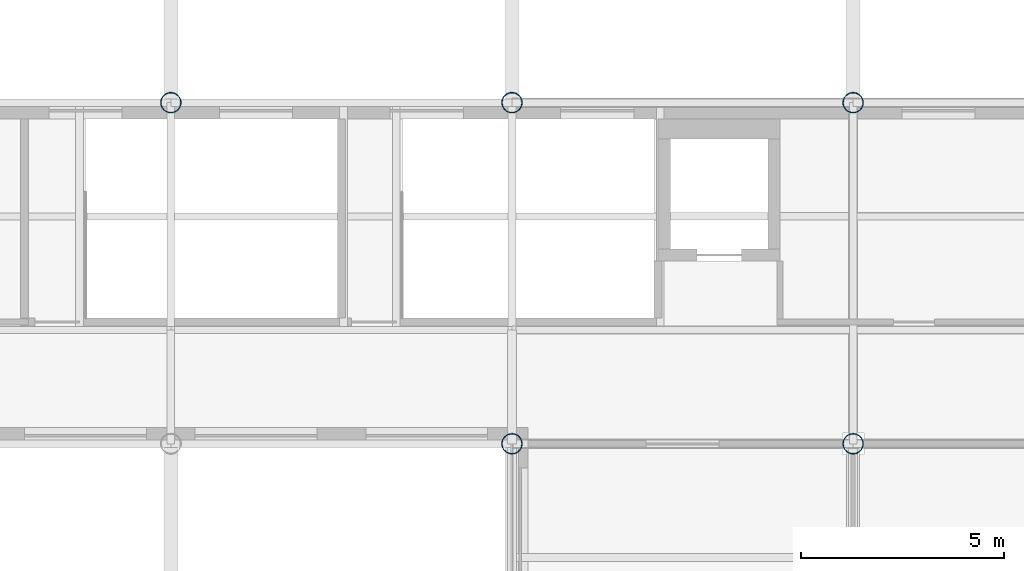
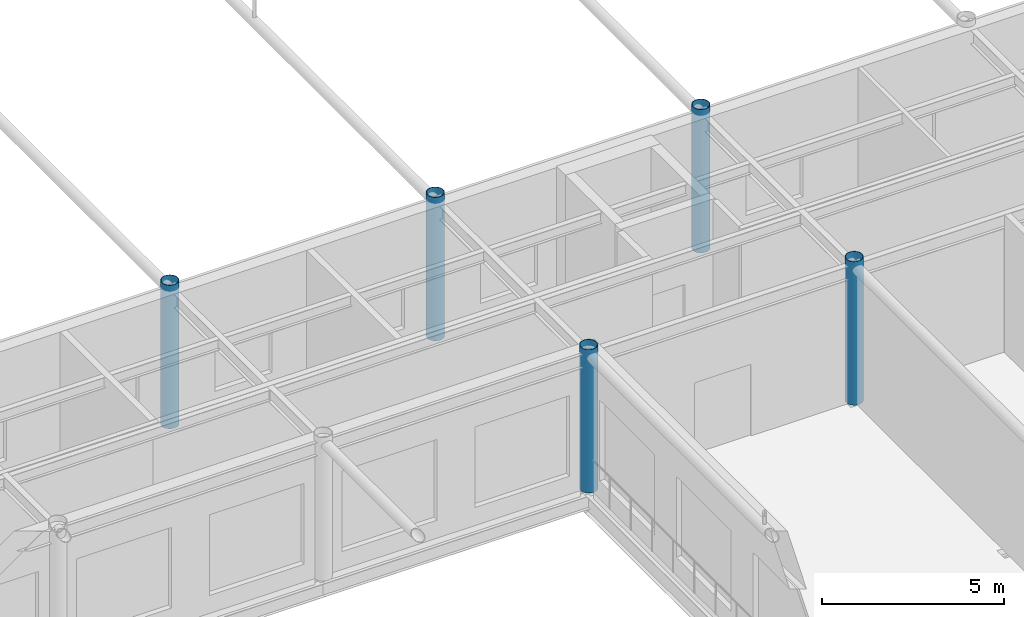
# One storey, part 5 of 167: 5 columns.
"""IFC4 building model written with IfcOpenShell, lengths in metres."""

from ifc_helpers import new_model, si_unit, direction, frame, origin, origin_2d, place, context, subcontext, project, spatial, hollow_circle, extrude, material, material_profile, profile_set, type_object, element, save


model = new_model("IFC4")

# Units and contexts
model_context = context("Model", 3, precision=1e-05, world=origin(), true_north=direction((0.0, 1.0)))
body_context = subcontext(model_context, "Body", "Model", "MODEL_VIEW")
ifc_project = project(units=[si_unit("LENGTHUNIT", "METRE"), si_unit("AREAUNIT", "SQUARE_METRE"), si_unit("VOLUMEUNIT", "CUBIC_METRE"), si_unit("PLANEANGLEUNIT", "RADIAN"), si_unit("MASSUNIT", "GRAM", prefix="KILO")], contexts=[model_context])

# Site, building, storey
site_placement = place(None, origin())
site = spatial("IfcSite", under=ifc_project, at=site_placement, CompositionType="ELEMENT")
building_placement = place(site_placement, origin())
building = spatial("IfcBuilding", under=site, at=building_placement, Name="Catenary Quay Ferry Terminal", CompositionType="ELEMENT")
storey_placement = place(building_placement, frame((0.0, 0.0, 6.0)))
storey = spatial("IfcBuildingStorey", under=building, at=storey_placement, Name="L01", CompositionType="ELEMENT", Elevation=6.0)

# Columns
ifc_material = material(Name="Steel S355", Category="steel")
ifc_material_profile = material_profile(ifc_material, hollow_circle(Radius=0.25390625, WallThickness=0.01611328125, at=origin_2d()), Name="CHS 508x16")
ifc_profile_set = profile_set([ifc_material_profile], Name="Steel S355")
column_type = type_object("IfcColumnType", Name="C4 CHS 508x16", PredefinedType="COLUMN", material=ifc_profile_set)
for number, where, z_axis, x_axis, name in (
    (1, (58.800048828125, 100.800048828125, 0.0), (0.0, 0.0, 1.0), (1.0, 0.0, 0.0), "Column C-H13 L01"),
    (2, (67.199951171875, 100.800048828125, 0.0), (0.0, 0.0, 1.0), (1.0, 0.0, 0.0), "Column C-I13 L01"),
    (3, (50.39990234375, 109.199951171875, 0.0), (0.0, 0.0, 1.0), (1.0, 0.0, 0.0), "Column C-G14 L01"),
    (4, (58.800048828125, 109.199951171875, 0.0), (0.0, 0.0, 1.0), (1.0, 0.0, 0.0), "Column C-H14 L01"),
    (5, (67.199951171875, 109.199951171875, 0.0), (0.0, 0.0, 1.0), (1.0, 0.0, 0.0), "Column C-I14 L01"),
):
    element("IfcColumn", number, at=place(storey_placement, frame(where, z_axis=z_axis, x_axis=x_axis)), inside=storey, type_object=column_type, Name=name, PredefinedType="COLUMN", context=body_context, shape_type="SweptSolid", body=[
        extrude(hollow_circle(Radius=0.25390625, WallThickness=0.01611328125, at=origin_2d()), origin(), (0.0, 0.0, 1.0), 4.800048828125),
    ])

save(model, "model.ifc")
